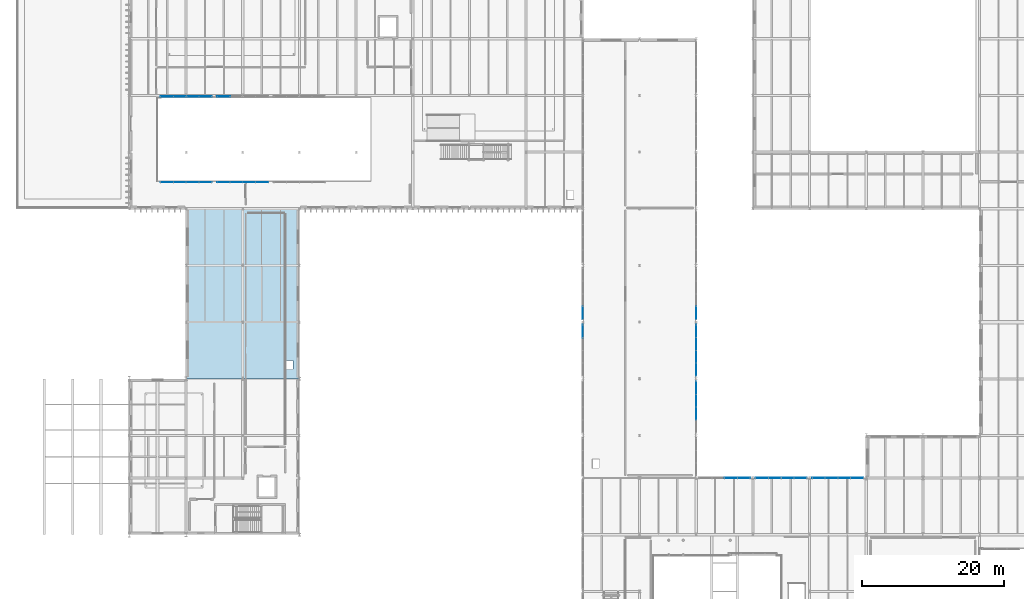
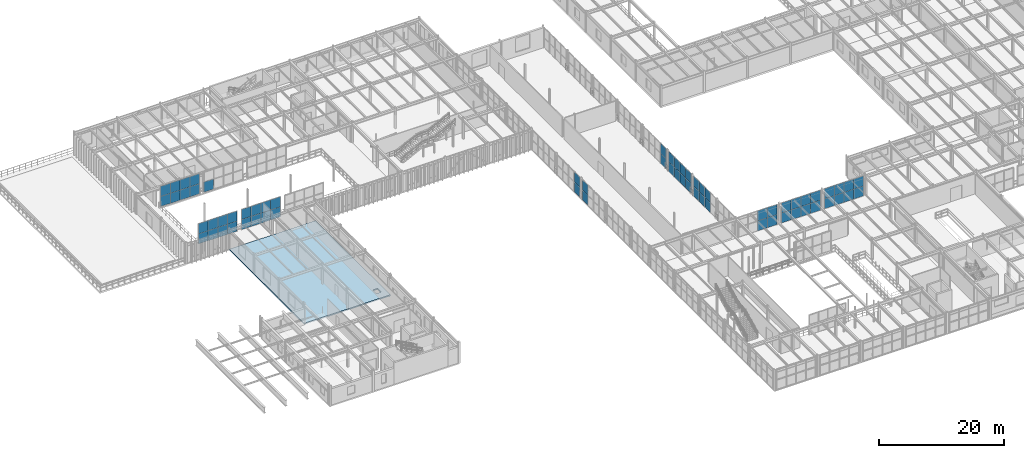
# One storey, part 70 of 122: 65 plates, 1 slab, 12 elements without a shape of their own.
"""IFC4 building model written with IfcOpenShell, lengths in metres."""

from ifc_helpers import new_model, si_unit, direction, frame, origin, origin_2d, place, context, subcontext, project, spatial, polyline, rectangle, outline, extrude, material, layer, layer_set, type_object, element, aggregate, save


model = new_model("IFC4")

# Units and contexts
model_context = context("Model", 3, precision=1e-05, world=origin(), true_north=direction((0.0, 1.0)))
body_context = subcontext(model_context, "Body", "Model", "MODEL_VIEW")
ifc_project = project(units=[si_unit("LENGTHUNIT", "METRE"), si_unit("AREAUNIT", "SQUARE_METRE"), si_unit("VOLUMEUNIT", "CUBIC_METRE"), si_unit("PLANEANGLEUNIT", "RADIAN"), si_unit("MASSUNIT", "GRAM", prefix="KILO")], contexts=[model_context])

# Site, building, storey
site_placement = place(None, origin())
site = spatial("IfcSite", under=ifc_project, at=site_placement, CompositionType="ELEMENT")
building_placement = place(site_placement, origin())
building = spatial("IfcBuilding", under=site, at=building_placement, Name="Sundkrona Museum", CompositionType="ELEMENT")
storey_placement = place(building_placement, frame((0.0, 0.0, 5.39990234375)))
storey = spatial("IfcBuildingStorey", under=building, at=storey_placement, Name="L01", CompositionType="ELEMENT", Elevation=5.39990234375)

# Curtain wall, plates
ifc_material_1 = material(Name="Unitised Aluminium-Steel and Ceramic-Clad Curtain Walling", Category="steel")
curtain_wall_type_1 = type_object("IfcCurtainWallType", Name="CW-AT-72x38", PredefinedType="NOTDEFINED", material=ifc_material_1)
curtain_wall_1_placement = place(storey_placement, origin())
curtain_wall_1 = element("IfcCurtainWall", 1, at=curtain_wall_1_placement, inside=storey, type_object=curtain_wall_type_1, Name="L01 Curtain Wall CW-L01-038", PredefinedType="NOTDEFINED")
ifc_material_2 = material(Name="Triple Low-E Vision Glazing 32 mm", Category="glass")
ifc_layer_1 = layer(ifc_material_2, 0.031982421875)
ifc_layer_set_1 = layer_set([ifc_layer_1], Name="Triple Low-E Vision Glazing 32 mm")
plate_type = type_object("IfcPlateType", Name="PN-GL-01", PredefinedType="CURTAIN_PANEL", material=ifc_layer_set_1)
plate_1_placement = place(storey_placement, frame((100.89990234375, 40.0, -0.00390625), z_axis=(0.0, 0.0, 1.0), x_axis=(1.0, 0.0, 0.0)))
plate_1 = element("IfcPlate", 2, at=plate_1_placement, type_object=plate_type, Name="CW-L01-038 Panel 05", PredefinedType="CURTAIN_PANEL", context=body_context, shape_type="SweptSolid", body=[
    extrude(rectangle(XDim=1.800048828125, YDim=0.031982421875, at=origin_2d()), origin(), (0.0, 0.0, 1.0), 1.97412109375),
])
plate_2_placement = place(storey_placement, frame((100.89990234375, 40.0, 1.969970703125), z_axis=(0.0, 0.0, 1.0), x_axis=(1.0, 0.0, 0.0)))
plate_2 = element("IfcPlate", 3, at=plate_2_placement, type_object=plate_type, Name="CW-L01-038 Panel 06", PredefinedType="CURTAIN_PANEL", context=body_context, shape_type="SweptSolid", body=[
    extrude(rectangle(XDim=1.800048828125, YDim=0.031982421875, at=origin_2d()), origin(), (0.0, 0.0, 1.0), 1.97412109375),
])
plate_3_placement = place(storey_placement, frame((102.699951171875, 40.0, -0.00390625), z_axis=(0.0, 0.0, 1.0), x_axis=(1.0, 0.0, 0.0)))
plate_3 = element("IfcPlate", 4, at=plate_3_placement, type_object=plate_type, Name="CW-L01-038 Panel 07", PredefinedType="CURTAIN_PANEL", context=body_context, shape_type="SweptSolid", body=[
    extrude(rectangle(XDim=1.800048828125, YDim=0.031982421875, at=origin_2d()), origin(), (0.0, 0.0, 1.0), 1.97412109375),
])
plate_4_placement = place(storey_placement, frame((102.699951171875, 40.0, 1.969970703125), z_axis=(0.0, 0.0, 1.0), x_axis=(1.0, 0.0, 0.0)))
plate_4 = element("IfcPlate", 5, at=plate_4_placement, type_object=plate_type, Name="CW-L01-038 Panel 08", PredefinedType="CURTAIN_PANEL", context=body_context, shape_type="SweptSolid", body=[
    extrude(rectangle(XDim=1.800048828125, YDim=0.031982421875, at=origin_2d()), origin(), (0.0, 0.0, 1.0), 1.97412109375),
])
aggregate(curtain_wall_1, [plate_1, plate_2, plate_3, plate_4])

curtain_wall_2_placement = place(storey_placement, origin())
curtain_wall_2 = element("IfcCurtainWall", 6, at=curtain_wall_2_placement, inside=storey, type_object=curtain_wall_type_1, Name="L01 Curtain Wall CW-L01-039", PredefinedType="NOTDEFINED")
plate_5_placement = place(storey_placement, frame((105.300048828125, 40.0, -0.00390625), z_axis=(0.0, 0.0, 1.0), x_axis=(1.0, 0.0, 0.0)))
plate_5 = element("IfcPlate", 7, at=plate_5_placement, type_object=plate_type, Name="CW-L01-039 Panel 01", PredefinedType="CURTAIN_PANEL", context=body_context, shape_type="SweptSolid", body=[
    extrude(rectangle(XDim=1.800048828125, YDim=0.031982421875, at=origin_2d()), origin(), (0.0, 0.0, 1.0), 1.97412109375),
])
plate_6_placement = place(storey_placement, frame((105.300048828125, 40.0, 1.969970703125), z_axis=(0.0, 0.0, 1.0), x_axis=(1.0, 0.0, 0.0)))
plate_6 = element("IfcPlate", 8, at=plate_6_placement, type_object=plate_type, Name="CW-L01-039 Panel 02", PredefinedType="CURTAIN_PANEL", context=body_context, shape_type="SweptSolid", body=[
    extrude(rectangle(XDim=1.800048828125, YDim=0.031982421875, at=origin_2d()), origin(), (0.0, 0.0, 1.0), 1.97412109375),
])
plate_7_placement = place(storey_placement, frame((107.10009765625, 40.0, -0.00390625), z_axis=(0.0, 0.0, 1.0), x_axis=(1.0, 0.0, 0.0)))
plate_7 = element("IfcPlate", 9, at=plate_7_placement, type_object=plate_type, Name="CW-L01-039 Panel 03", PredefinedType="CURTAIN_PANEL", context=body_context, shape_type="SweptSolid", body=[
    extrude(rectangle(XDim=1.800048828125, YDim=0.031982421875, at=origin_2d()), origin(), (0.0, 0.0, 1.0), 1.97412109375),
])
plate_8_placement = place(storey_placement, frame((107.10009765625, 40.0, 1.969970703125), z_axis=(0.0, 0.0, 1.0), x_axis=(1.0, 0.0, 0.0)))
plate_8 = element("IfcPlate", 10, at=plate_8_placement, type_object=plate_type, Name="CW-L01-039 Panel 04", PredefinedType="CURTAIN_PANEL", context=body_context, shape_type="SweptSolid", body=[
    extrude(rectangle(XDim=1.800048828125, YDim=0.031982421875, at=origin_2d()), origin(), (0.0, 0.0, 1.0), 1.97412109375),
])
plate_9_placement = place(storey_placement, frame((108.89990234375, 40.0, -0.00390625), z_axis=(0.0, 0.0, 1.0), x_axis=(1.0, 0.0, 0.0)))
plate_9 = element("IfcPlate", 11, at=plate_9_placement, type_object=plate_type, Name="CW-L01-039 Panel 05", PredefinedType="CURTAIN_PANEL", context=body_context, shape_type="SweptSolid", body=[
    extrude(rectangle(XDim=1.800048828125, YDim=0.031982421875, at=origin_2d()), origin(), (0.0, 0.0, 1.0), 1.97412109375),
])
plate_10_placement = place(storey_placement, frame((108.89990234375, 40.0, 1.969970703125), z_axis=(0.0, 0.0, 1.0), x_axis=(1.0, 0.0, 0.0)))
plate_10 = element("IfcPlate", 12, at=plate_10_placement, type_object=plate_type, Name="CW-L01-039 Panel 06", PredefinedType="CURTAIN_PANEL", context=body_context, shape_type="SweptSolid", body=[
    extrude(rectangle(XDim=1.800048828125, YDim=0.031982421875, at=origin_2d()), origin(), (0.0, 0.0, 1.0), 1.97412109375),
])
plate_11_placement = place(storey_placement, frame((110.699951171875, 40.0, -0.00390625), z_axis=(0.0, 0.0, 1.0), x_axis=(1.0, 0.0, 0.0)))
plate_11 = element("IfcPlate", 13, at=plate_11_placement, type_object=plate_type, Name="CW-L01-039 Panel 07", PredefinedType="CURTAIN_PANEL", context=body_context, shape_type="SweptSolid", body=[
    extrude(rectangle(XDim=1.800048828125, YDim=0.031982421875, at=origin_2d()), origin(), (0.0, 0.0, 1.0), 1.97412109375),
])
plate_12_placement = place(storey_placement, frame((110.699951171875, 40.0, 1.969970703125), z_axis=(0.0, 0.0, 1.0), x_axis=(1.0, 0.0, 0.0)))
plate_12 = element("IfcPlate", 14, at=plate_12_placement, type_object=plate_type, Name="CW-L01-039 Panel 08", PredefinedType="CURTAIN_PANEL", context=body_context, shape_type="SweptSolid", body=[
    extrude(rectangle(XDim=1.800048828125, YDim=0.031982421875, at=origin_2d()), origin(), (0.0, 0.0, 1.0), 1.97412109375),
])
aggregate(curtain_wall_2, [plate_5, plate_6, plate_7, plate_8, plate_9, plate_10, plate_11, plate_12])

curtain_wall_3_placement = place(storey_placement, origin())
curtain_wall_3 = element("IfcCurtainWall", 15, at=curtain_wall_3_placement, inside=storey, type_object=curtain_wall_type_1, Name="L01 Curtain Wall CW-L01-040", PredefinedType="NOTDEFINED")
plate_13_placement = place(storey_placement, frame((113.300048828125, 40.0, -0.00390625), z_axis=(0.0, 0.0, 1.0), x_axis=(1.0, 0.0, 0.0)))
plate_13 = element("IfcPlate", 16, at=plate_13_placement, type_object=plate_type, Name="CW-L01-040 Panel 01", PredefinedType="CURTAIN_PANEL", context=body_context, shape_type="SweptSolid", body=[
    extrude(rectangle(XDim=1.800048828125, YDim=0.031982421875, at=origin_2d()), origin(), (0.0, 0.0, 1.0), 1.97412109375),
])
plate_14_placement = place(storey_placement, frame((113.300048828125, 40.0, 1.969970703125), z_axis=(0.0, 0.0, 1.0), x_axis=(1.0, 0.0, 0.0)))
plate_14 = element("IfcPlate", 17, at=plate_14_placement, type_object=plate_type, Name="CW-L01-040 Panel 02", PredefinedType="CURTAIN_PANEL", context=body_context, shape_type="SweptSolid", body=[
    extrude(rectangle(XDim=1.800048828125, YDim=0.031982421875, at=origin_2d()), origin(), (0.0, 0.0, 1.0), 1.97412109375),
])
plate_15_placement = place(storey_placement, frame((115.10009765625, 40.0, -0.00390625), z_axis=(0.0, 0.0, 1.0), x_axis=(1.0, 0.0, 0.0)))
plate_15 = element("IfcPlate", 18, at=plate_15_placement, type_object=plate_type, Name="CW-L01-040 Panel 03", PredefinedType="CURTAIN_PANEL", context=body_context, shape_type="SweptSolid", body=[
    extrude(rectangle(XDim=1.800048828125, YDim=0.031982421875, at=origin_2d()), origin(), (0.0, 0.0, 1.0), 1.97412109375),
])
plate_16_placement = place(storey_placement, frame((115.10009765625, 40.0, 1.969970703125), z_axis=(0.0, 0.0, 1.0), x_axis=(1.0, 0.0, 0.0)))
plate_16 = element("IfcPlate", 19, at=plate_16_placement, type_object=plate_type, Name="CW-L01-040 Panel 04", PredefinedType="CURTAIN_PANEL", context=body_context, shape_type="SweptSolid", body=[
    extrude(rectangle(XDim=1.800048828125, YDim=0.031982421875, at=origin_2d()), origin(), (0.0, 0.0, 1.0), 1.97412109375),
])
plate_17_placement = place(storey_placement, frame((116.89990234375, 40.0, -0.00390625), z_axis=(0.0, 0.0, 1.0), x_axis=(1.0, 0.0, 0.0)))
plate_17 = element("IfcPlate", 20, at=plate_17_placement, type_object=plate_type, Name="CW-L01-040 Panel 05", PredefinedType="CURTAIN_PANEL", context=body_context, shape_type="SweptSolid", body=[
    extrude(rectangle(XDim=1.800048828125, YDim=0.031982421875, at=origin_2d()), origin(), (0.0, 0.0, 1.0), 1.97412109375),
])
plate_18_placement = place(storey_placement, frame((116.89990234375, 40.0, 1.969970703125), z_axis=(0.0, 0.0, 1.0), x_axis=(1.0, 0.0, 0.0)))
plate_18 = element("IfcPlate", 21, at=plate_18_placement, type_object=plate_type, Name="CW-L01-040 Panel 06", PredefinedType="CURTAIN_PANEL", context=body_context, shape_type="SweptSolid", body=[
    extrude(rectangle(XDim=1.800048828125, YDim=0.031982421875, at=origin_2d()), origin(), (0.0, 0.0, 1.0), 1.97412109375),
])
plate_19_placement = place(storey_placement, frame((118.699951171875, 40.0, -0.00390625), z_axis=(0.0, 0.0, 1.0), x_axis=(1.0, 0.0, 0.0)))
plate_19 = element("IfcPlate", 22, at=plate_19_placement, type_object=plate_type, Name="CW-L01-040 Panel 07", PredefinedType="CURTAIN_PANEL", context=body_context, shape_type="SweptSolid", body=[
    extrude(rectangle(XDim=1.800048828125, YDim=0.031982421875, at=origin_2d()), origin(), (0.0, 0.0, 1.0), 1.97412109375),
])
plate_20_placement = place(storey_placement, frame((118.699951171875, 40.0, 1.969970703125), z_axis=(0.0, 0.0, 1.0), x_axis=(1.0, 0.0, 0.0)))
plate_20 = element("IfcPlate", 23, at=plate_20_placement, type_object=plate_type, Name="CW-L01-040 Panel 08", PredefinedType="CURTAIN_PANEL", context=body_context, shape_type="SweptSolid", body=[
    extrude(rectangle(XDim=1.800048828125, YDim=0.031982421875, at=origin_2d()), origin(), (0.0, 0.0, 1.0), 1.97412109375),
])
aggregate(curtain_wall_3, [plate_13, plate_14, plate_15, plate_16, plate_17, plate_18, plate_19, plate_20])

curtain_wall_type_2 = type_object("IfcCurtainWallType", Name="CW-PS-54x38", PredefinedType="NOTDEFINED", material=ifc_material_1)
curtain_wall_4_placement = place(storey_placement, origin())
curtain_wall_4 = element("IfcCurtainWall", 24, at=curtain_wall_4_placement, inside=storey, type_object=curtain_wall_type_2, Name="L01 Curtain Wall CW-L01-111", PredefinedType="NOTDEFINED")
plate_21_placement = place(storey_placement, frame((96.0, 49.10009765625, -0.00390625), z_axis=(0.0, 0.0, 1.0), x_axis=(0.0, 1.0, 0.0)))
plate_21 = element("IfcPlate", 25, at=plate_21_placement, type_object=plate_type, Name="CW-L01-111 Panel 03", PredefinedType="CURTAIN_PANEL", context=body_context, shape_type="SweptSolid", body=[
    extrude(rectangle(XDim=1.800048828125, YDim=0.031982421875, at=origin_2d()), origin(), (0.0, 0.0, 1.0), 1.964111328125),
])
plate_22_placement = place(storey_placement, frame((96.0, 49.10009765625, 1.9599609375), z_axis=(0.0, 0.0, 1.0), x_axis=(0.0, 1.0, 0.0)))
plate_22 = element("IfcPlate", 26, at=plate_22_placement, type_object=plate_type, Name="CW-L01-111 Panel 04", PredefinedType="CURTAIN_PANEL", context=body_context, shape_type="SweptSolid", body=[
    extrude(rectangle(XDim=1.800048828125, YDim=0.031982421875, at=origin_2d()), origin(), (0.0, 0.0, 1.0), 1.964111328125),
])
plate_23_placement = place(storey_placement, frame((96.0, 50.89990234375, -0.00390625), z_axis=(0.0, 0.0, 1.0), x_axis=(0.0, 1.0, 0.0)))
plate_23 = element("IfcPlate", 27, at=plate_23_placement, type_object=plate_type, Name="CW-L01-111 Panel 05", PredefinedType="CURTAIN_PANEL", context=body_context, shape_type="SweptSolid", body=[
    extrude(rectangle(XDim=1.800048828125, YDim=0.031982421875, at=origin_2d()), origin(), (0.0, 0.0, 1.0), 1.964111328125),
])
plate_24_placement = place(storey_placement, frame((96.0, 50.89990234375, 1.9599609375), z_axis=(0.0, 0.0, 1.0), x_axis=(0.0, 1.0, 0.0)))
plate_24 = element("IfcPlate", 28, at=plate_24_placement, type_object=plate_type, Name="CW-L01-111 Panel 06", PredefinedType="CURTAIN_PANEL", context=body_context, shape_type="SweptSolid", body=[
    extrude(rectangle(XDim=1.800048828125, YDim=0.031982421875, at=origin_2d()), origin(), (0.0, 0.0, 1.0), 1.964111328125),
])
plate_25_placement = place(storey_placement, frame((96.0, 52.699951171875, -0.00390625), z_axis=(0.0, 0.0, 1.0), x_axis=(0.0, 1.0, 0.0)))
plate_25 = element("IfcPlate", 29, at=plate_25_placement, type_object=plate_type, Name="CW-L01-111 Panel 07", PredefinedType="CURTAIN_PANEL", context=body_context, shape_type="SweptSolid", body=[
    extrude(rectangle(XDim=1.800048828125, YDim=0.031982421875, at=origin_2d()), origin(), (0.0, 0.0, 1.0), 1.964111328125),
])
plate_26_placement = place(storey_placement, frame((96.0, 52.699951171875, 1.9599609375), z_axis=(0.0, 0.0, 1.0), x_axis=(0.0, 1.0, 0.0)))
plate_26 = element("IfcPlate", 30, at=plate_26_placement, type_object=plate_type, Name="CW-L01-111 Panel 08", PredefinedType="CURTAIN_PANEL", context=body_context, shape_type="SweptSolid", body=[
    extrude(rectangle(XDim=1.800048828125, YDim=0.031982421875, at=origin_2d()), origin(), (0.0, 0.0, 1.0), 1.964111328125),
])
aggregate(curtain_wall_4, [plate_21, plate_22, plate_23, plate_24, plate_25, plate_26])

curtain_wall_5_placement = place(storey_placement, origin())
curtain_wall_5 = element("IfcCurtainWall", 31, at=curtain_wall_5_placement, inside=storey, type_object=curtain_wall_type_2, Name="L01 Curtain Wall CW-L01-112", PredefinedType="NOTDEFINED")
plate_27_placement = place(storey_placement, frame((80.0, 60.699951171875, -0.00390625), z_axis=(0.0, 0.0, 1.0), x_axis=(0.0, 1.0, 0.0)))
plate_27 = element("IfcPlate", 32, at=plate_27_placement, type_object=plate_type, Name="CW-L01-112 Panel 07", PredefinedType="CURTAIN_PANEL", context=body_context, shape_type="SweptSolid", body=[
    extrude(rectangle(XDim=1.800048828125, YDim=0.031982421875, at=origin_2d()), origin(), (0.0, 0.0, 1.0), 1.964111328125),
])
plate_28_placement = place(storey_placement, frame((80.0, 60.699951171875, 1.9599609375), z_axis=(0.0, 0.0, 1.0), x_axis=(0.0, 1.0, 0.0)))
plate_28 = element("IfcPlate", 33, at=plate_28_placement, type_object=plate_type, Name="CW-L01-112 Panel 08", PredefinedType="CURTAIN_PANEL", context=body_context, shape_type="SweptSolid", body=[
    extrude(rectangle(XDim=1.800048828125, YDim=0.031982421875, at=origin_2d()), origin(), (0.0, 0.0, 1.0), 1.964111328125),
])
aggregate(curtain_wall_5, [plate_27, plate_28])

curtain_wall_6_placement = place(storey_placement, origin())
curtain_wall_6 = element("IfcCurtainWall", 34, at=curtain_wall_6_placement, inside=storey, type_object=curtain_wall_type_2, Name="L01 Curtain Wall CW-L01-113", PredefinedType="NOTDEFINED")
plate_29_placement = place(storey_placement, frame((96.0, 55.300048828125, -0.00390625), z_axis=(0.0, 0.0, 1.0), x_axis=(0.0, 1.0, 0.0)))
plate_29 = element("IfcPlate", 35, at=plate_29_placement, type_object=plate_type, Name="CW-L01-113 Panel 01", PredefinedType="CURTAIN_PANEL", context=body_context, shape_type="SweptSolid", body=[
    extrude(rectangle(XDim=1.800048828125, YDim=0.031982421875, at=origin_2d()), origin(), (0.0, 0.0, 1.0), 1.964111328125),
])
plate_30_placement = place(storey_placement, frame((96.0, 55.300048828125, 1.9599609375), z_axis=(0.0, 0.0, 1.0), x_axis=(0.0, 1.0, 0.0)))
plate_30 = element("IfcPlate", 36, at=plate_30_placement, type_object=plate_type, Name="CW-L01-113 Panel 02", PredefinedType="CURTAIN_PANEL", context=body_context, shape_type="SweptSolid", body=[
    extrude(rectangle(XDim=1.800048828125, YDim=0.031982421875, at=origin_2d()), origin(), (0.0, 0.0, 1.0), 1.964111328125),
])
plate_31_placement = place(storey_placement, frame((96.0, 57.10009765625, -0.00390625), z_axis=(0.0, 0.0, 1.0), x_axis=(0.0, 1.0, 0.0)))
plate_31 = element("IfcPlate", 37, at=plate_31_placement, type_object=plate_type, Name="CW-L01-113 Panel 03", PredefinedType="CURTAIN_PANEL", context=body_context, shape_type="SweptSolid", body=[
    extrude(rectangle(XDim=1.800048828125, YDim=0.031982421875, at=origin_2d()), origin(), (0.0, 0.0, 1.0), 1.964111328125),
])
plate_32_placement = place(storey_placement, frame((96.0, 57.10009765625, 1.9599609375), z_axis=(0.0, 0.0, 1.0), x_axis=(0.0, 1.0, 0.0)))
plate_32 = element("IfcPlate", 38, at=plate_32_placement, type_object=plate_type, Name="CW-L01-113 Panel 04", PredefinedType="CURTAIN_PANEL", context=body_context, shape_type="SweptSolid", body=[
    extrude(rectangle(XDim=1.800048828125, YDim=0.031982421875, at=origin_2d()), origin(), (0.0, 0.0, 1.0), 1.964111328125),
])
plate_33_placement = place(storey_placement, frame((96.0, 58.89990234375, -0.00390625), z_axis=(0.0, 0.0, 1.0), x_axis=(0.0, 1.0, 0.0)))
plate_33 = element("IfcPlate", 39, at=plate_33_placement, type_object=plate_type, Name="CW-L01-113 Panel 05", PredefinedType="CURTAIN_PANEL", context=body_context, shape_type="SweptSolid", body=[
    extrude(rectangle(XDim=1.800048828125, YDim=0.031982421875, at=origin_2d()), origin(), (0.0, 0.0, 1.0), 1.964111328125),
])
plate_34_placement = place(storey_placement, frame((96.0, 58.89990234375, 1.9599609375), z_axis=(0.0, 0.0, 1.0), x_axis=(0.0, 1.0, 0.0)))
plate_34 = element("IfcPlate", 40, at=plate_34_placement, type_object=plate_type, Name="CW-L01-113 Panel 06", PredefinedType="CURTAIN_PANEL", context=body_context, shape_type="SweptSolid", body=[
    extrude(rectangle(XDim=1.800048828125, YDim=0.031982421875, at=origin_2d()), origin(), (0.0, 0.0, 1.0), 1.964111328125),
])
plate_35_placement = place(storey_placement, frame((96.0, 60.699951171875, -0.00390625), z_axis=(0.0, 0.0, 1.0), x_axis=(0.0, 1.0, 0.0)))
plate_35 = element("IfcPlate", 41, at=plate_35_placement, type_object=plate_type, Name="CW-L01-113 Panel 07", PredefinedType="CURTAIN_PANEL", context=body_context, shape_type="SweptSolid", body=[
    extrude(rectangle(XDim=1.800048828125, YDim=0.031982421875, at=origin_2d()), origin(), (0.0, 0.0, 1.0), 1.964111328125),
])
plate_36_placement = place(storey_placement, frame((96.0, 60.699951171875, 1.9599609375), z_axis=(0.0, 0.0, 1.0), x_axis=(0.0, 1.0, 0.0)))
plate_36 = element("IfcPlate", 42, at=plate_36_placement, type_object=plate_type, Name="CW-L01-113 Panel 08", PredefinedType="CURTAIN_PANEL", context=body_context, shape_type="SweptSolid", body=[
    extrude(rectangle(XDim=1.800048828125, YDim=0.031982421875, at=origin_2d()), origin(), (0.0, 0.0, 1.0), 1.964111328125),
])
aggregate(curtain_wall_6, [plate_29, plate_30, plate_31, plate_32, plate_33, plate_34, plate_35, plate_36])

curtain_wall_7_placement = place(storey_placement, origin())
curtain_wall_7 = element("IfcCurtainWall", 43, at=curtain_wall_7_placement, inside=storey, type_object=curtain_wall_type_2, Name="L01 Curtain Wall CW-L01-114", PredefinedType="NOTDEFINED")
plate_37_placement = place(storey_placement, frame((80.0, 63.300048828125, -0.00390625), z_axis=(0.0, 0.0, 1.0), x_axis=(0.0, 1.0, 0.0)))
plate_37 = element("IfcPlate", 44, at=plate_37_placement, type_object=plate_type, Name="CW-L01-114 Panel 01", PredefinedType="CURTAIN_PANEL", context=body_context, shape_type="SweptSolid", body=[
    extrude(rectangle(XDim=1.800048828125, YDim=0.031982421875, at=origin_2d()), origin(), (0.0, 0.0, 1.0), 1.964111328125),
])
plate_38_placement = place(storey_placement, frame((80.0, 63.300048828125, 1.9599609375), z_axis=(0.0, 0.0, 1.0), x_axis=(0.0, 1.0, 0.0)))
plate_38 = element("IfcPlate", 45, at=plate_38_placement, type_object=plate_type, Name="CW-L01-114 Panel 02", PredefinedType="CURTAIN_PANEL", context=body_context, shape_type="SweptSolid", body=[
    extrude(rectangle(XDim=1.800048828125, YDim=0.031982421875, at=origin_2d()), origin(), (0.0, 0.0, 1.0), 1.964111328125),
])
aggregate(curtain_wall_7, [plate_37, plate_38])

curtain_wall_8_placement = place(storey_placement, origin())
curtain_wall_8 = element("IfcCurtainWall", 46, at=curtain_wall_8_placement, inside=storey, type_object=curtain_wall_type_2, Name="L01 Curtain Wall CW-L01-115", PredefinedType="NOTDEFINED")
plate_39_placement = place(storey_placement, frame((96.0, 63.300048828125, -0.00390625), z_axis=(0.0, 0.0, 1.0), x_axis=(0.0, 1.0, 0.0)))
plate_39 = element("IfcPlate", 47, at=plate_39_placement, type_object=plate_type, Name="CW-L01-115 Panel 01", PredefinedType="CURTAIN_PANEL", context=body_context, shape_type="SweptSolid", body=[
    extrude(rectangle(XDim=1.800048828125, YDim=0.031982421875, at=origin_2d()), origin(), (0.0, 0.0, 1.0), 1.964111328125),
])
plate_40_placement = place(storey_placement, frame((96.0, 63.300048828125, 1.9599609375), z_axis=(0.0, 0.0, 1.0), x_axis=(0.0, 1.0, 0.0)))
plate_40 = element("IfcPlate", 48, at=plate_40_placement, type_object=plate_type, Name="CW-L01-115 Panel 02", PredefinedType="CURTAIN_PANEL", context=body_context, shape_type="SweptSolid", body=[
    extrude(rectangle(XDim=1.800048828125, YDim=0.031982421875, at=origin_2d()), origin(), (0.0, 0.0, 1.0), 1.964111328125),
])
aggregate(curtain_wall_8, [plate_39, plate_40])

curtain_wall_type_3 = type_object("IfcCurtainWallType", Name="CW-CL-64x38", PredefinedType="NOTDEFINED", material=ifc_material_1)
curtain_wall_9_placement = place(storey_placement, origin())
curtain_wall_9 = element("IfcCurtainWall", 49, at=curtain_wall_9_placement, inside=storey, type_object=curtain_wall_type_3, Name="L01 Curtain Wall CW-L01-124", PredefinedType="NOTDEFINED")
plate_41_placement = place(storey_placement, frame((21.300048828125, 81.75, -0.00390625), z_axis=(0.0, 0.0, 1.0), x_axis=(1.0, 0.0, 0.0)))
plate_41 = element("IfcPlate", 50, at=plate_41_placement, type_object=plate_type, Name="CW-L01-124 Panel 01", PredefinedType="CURTAIN_PANEL", context=body_context, shape_type="SweptSolid", body=[
    extrude(rectangle(XDim=1.800048828125, YDim=0.031982421875, at=origin_2d()), origin(), (0.0, 0.0, 1.0), 1.98388671875),
])
plate_42_placement = place(storey_placement, frame((21.300048828125, 81.75, 1.980224609375), z_axis=(0.0, 0.0, 1.0), x_axis=(1.0, 0.0, 0.0)))
plate_42 = element("IfcPlate", 51, at=plate_42_placement, type_object=plate_type, Name="CW-L01-124 Panel 02", PredefinedType="CURTAIN_PANEL", context=body_context, shape_type="SweptSolid", body=[
    extrude(rectangle(XDim=1.800048828125, YDim=0.031982421875, at=origin_2d()), origin(), (0.0, 0.0, 1.0), 1.98388671875),
])
plate_43_placement = place(storey_placement, frame((23.10009765625, 81.75, -0.00390625), z_axis=(0.0, 0.0, 1.0), x_axis=(1.0, 0.0, 0.0)))
plate_43 = element("IfcPlate", 52, at=plate_43_placement, type_object=plate_type, Name="CW-L01-124 Panel 03", PredefinedType="CURTAIN_PANEL", context=body_context, shape_type="SweptSolid", body=[
    extrude(rectangle(XDim=1.800048828125, YDim=0.031982421875, at=origin_2d()), origin(), (0.0, 0.0, 1.0), 1.98388671875),
])
plate_44_placement = place(storey_placement, frame((23.10009765625, 81.75, 1.980224609375), z_axis=(0.0, 0.0, 1.0), x_axis=(1.0, 0.0, 0.0)))
plate_44 = element("IfcPlate", 53, at=plate_44_placement, type_object=plate_type, Name="CW-L01-124 Panel 04", PredefinedType="CURTAIN_PANEL", context=body_context, shape_type="SweptSolid", body=[
    extrude(rectangle(XDim=1.800048828125, YDim=0.031982421875, at=origin_2d()), origin(), (0.0, 0.0, 1.0), 1.98388671875),
])
plate_45_placement = place(storey_placement, frame((24.89990234375, 81.75, -0.00390625), z_axis=(0.0, 0.0, 1.0), x_axis=(1.0, 0.0, 0.0)))
plate_45 = element("IfcPlate", 54, at=plate_45_placement, type_object=plate_type, Name="CW-L01-124 Panel 05", PredefinedType="CURTAIN_PANEL", context=body_context, shape_type="SweptSolid", body=[
    extrude(rectangle(XDim=1.800048828125, YDim=0.031982421875, at=origin_2d()), origin(), (0.0, 0.0, 1.0), 1.98388671875),
])
plate_46_placement = place(storey_placement, frame((24.89990234375, 81.75, 1.980224609375), z_axis=(0.0, 0.0, 1.0), x_axis=(1.0, 0.0, 0.0)))
plate_46 = element("IfcPlate", 55, at=plate_46_placement, type_object=plate_type, Name="CW-L01-124 Panel 06", PredefinedType="CURTAIN_PANEL", context=body_context, shape_type="SweptSolid", body=[
    extrude(rectangle(XDim=1.800048828125, YDim=0.031982421875, at=origin_2d()), origin(), (0.0, 0.0, 1.0), 1.98388671875),
])
plate_47_placement = place(storey_placement, frame((26.699951171875, 81.75, -0.00390625), z_axis=(0.0, 0.0, 1.0), x_axis=(1.0, 0.0, 0.0)))
plate_47 = element("IfcPlate", 56, at=plate_47_placement, type_object=plate_type, Name="CW-L01-124 Panel 07", PredefinedType="CURTAIN_PANEL", context=body_context, shape_type="SweptSolid", body=[
    extrude(rectangle(XDim=1.800048828125, YDim=0.031982421875, at=origin_2d()), origin(), (0.0, 0.0, 1.0), 1.98388671875),
])
plate_48_placement = place(storey_placement, frame((26.699951171875, 81.75, 1.980224609375), z_axis=(0.0, 0.0, 1.0), x_axis=(1.0, 0.0, 0.0)))
plate_48 = element("IfcPlate", 57, at=plate_48_placement, type_object=plate_type, Name="CW-L01-124 Panel 08", PredefinedType="CURTAIN_PANEL", context=body_context, shape_type="SweptSolid", body=[
    extrude(rectangle(XDim=1.800048828125, YDim=0.031982421875, at=origin_2d()), origin(), (0.0, 0.0, 1.0), 1.98388671875),
])
aggregate(curtain_wall_9, [plate_41, plate_42, plate_43, plate_44, plate_45, plate_46, plate_47, plate_48])

curtain_wall_10_placement = place(storey_placement, origin())
curtain_wall_10 = element("IfcCurtainWall", 58, at=curtain_wall_10_placement, inside=storey, type_object=curtain_wall_type_3, Name="L01 Curtain Wall CW-L01-125", PredefinedType="NOTDEFINED")
plate_49_placement = place(storey_placement, frame((21.300048828125, 93.85009765625, -0.00390625), z_axis=(0.0, 0.0, 1.0), x_axis=(1.0, 0.0, 0.0)))
plate_49 = element("IfcPlate", 59, at=plate_49_placement, type_object=plate_type, Name="CW-L01-125 Panel 01", PredefinedType="CURTAIN_PANEL", context=body_context, shape_type="SweptSolid", body=[
    extrude(rectangle(XDim=1.800048828125, YDim=0.031982421875, at=origin_2d()), origin(), (0.0, 0.0, 1.0), 1.98388671875),
])
plate_50_placement = place(storey_placement, frame((21.300048828125, 93.85009765625, 1.980224609375), z_axis=(0.0, 0.0, 1.0), x_axis=(1.0, 0.0, 0.0)))
plate_50 = element("IfcPlate", 60, at=plate_50_placement, type_object=plate_type, Name="CW-L01-125 Panel 02", PredefinedType="CURTAIN_PANEL", context=body_context, shape_type="SweptSolid", body=[
    extrude(rectangle(XDim=1.800048828125, YDim=0.031982421875, at=origin_2d()), origin(), (0.0, 0.0, 1.0), 1.98388671875),
])
plate_51_placement = place(storey_placement, frame((23.10009765625, 93.85009765625, -0.00390625), z_axis=(0.0, 0.0, 1.0), x_axis=(1.0, 0.0, 0.0)))
plate_51 = element("IfcPlate", 61, at=plate_51_placement, type_object=plate_type, Name="CW-L01-125 Panel 03", PredefinedType="CURTAIN_PANEL", context=body_context, shape_type="SweptSolid", body=[
    extrude(rectangle(XDim=1.800048828125, YDim=0.031982421875, at=origin_2d()), origin(), (0.0, 0.0, 1.0), 1.98388671875),
])
plate_52_placement = place(storey_placement, frame((23.10009765625, 93.85009765625, 1.980224609375), z_axis=(0.0, 0.0, 1.0), x_axis=(1.0, 0.0, 0.0)))
plate_52 = element("IfcPlate", 62, at=plate_52_placement, type_object=plate_type, Name="CW-L01-125 Panel 04", PredefinedType="CURTAIN_PANEL", context=body_context, shape_type="SweptSolid", body=[
    extrude(rectangle(XDim=1.800048828125, YDim=0.031982421875, at=origin_2d()), origin(), (0.0, 0.0, 1.0), 1.98388671875),
])
plate_53_placement = place(storey_placement, frame((24.89990234375, 93.85009765625, -0.00390625), z_axis=(0.0, 0.0, 1.0), x_axis=(1.0, 0.0, 0.0)))
plate_53 = element("IfcPlate", 63, at=plate_53_placement, type_object=plate_type, Name="CW-L01-125 Panel 05", PredefinedType="CURTAIN_PANEL", context=body_context, shape_type="SweptSolid", body=[
    extrude(rectangle(XDim=1.800048828125, YDim=0.031982421875, at=origin_2d()), origin(), (0.0, 0.0, 1.0), 1.98388671875),
])
plate_54_placement = place(storey_placement, frame((24.89990234375, 93.85009765625, 1.980224609375), z_axis=(0.0, 0.0, 1.0), x_axis=(1.0, 0.0, 0.0)))
plate_54 = element("IfcPlate", 64, at=plate_54_placement, type_object=plate_type, Name="CW-L01-125 Panel 06", PredefinedType="CURTAIN_PANEL", context=body_context, shape_type="SweptSolid", body=[
    extrude(rectangle(XDim=1.800048828125, YDim=0.031982421875, at=origin_2d()), origin(), (0.0, 0.0, 1.0), 1.98388671875),
])
plate_55_placement = place(storey_placement, frame((26.699951171875, 93.85009765625, -0.00390625), z_axis=(0.0, 0.0, 1.0), x_axis=(1.0, 0.0, 0.0)))
plate_55 = element("IfcPlate", 65, at=plate_55_placement, type_object=plate_type, Name="CW-L01-125 Panel 07", PredefinedType="CURTAIN_PANEL", context=body_context, shape_type="SweptSolid", body=[
    extrude(rectangle(XDim=1.800048828125, YDim=0.031982421875, at=origin_2d()), origin(), (0.0, 0.0, 1.0), 1.98388671875),
])
plate_56_placement = place(storey_placement, frame((26.699951171875, 93.85009765625, 1.980224609375), z_axis=(0.0, 0.0, 1.0), x_axis=(1.0, 0.0, 0.0)))
plate_56 = element("IfcPlate", 66, at=plate_56_placement, type_object=plate_type, Name="CW-L01-125 Panel 08", PredefinedType="CURTAIN_PANEL", context=body_context, shape_type="SweptSolid", body=[
    extrude(rectangle(XDim=1.800048828125, YDim=0.031982421875, at=origin_2d()), origin(), (0.0, 0.0, 1.0), 1.98388671875),
])
aggregate(curtain_wall_10, [plate_49, plate_50, plate_51, plate_52, plate_53, plate_54, plate_55, plate_56])

curtain_wall_11_placement = place(storey_placement, origin())
curtain_wall_11 = element("IfcCurtainWall", 67, at=curtain_wall_11_placement, inside=storey, type_object=curtain_wall_type_3, Name="L01 Curtain Wall CW-L01-126", PredefinedType="NOTDEFINED")
plate_57_placement = place(storey_placement, frame((29.300048828125, 81.75, -0.00390625), z_axis=(0.0, 0.0, 1.0), x_axis=(1.0, 0.0, 0.0)))
plate_57 = element("IfcPlate", 68, at=plate_57_placement, type_object=plate_type, Name="CW-L01-126 Panel 01", PredefinedType="CURTAIN_PANEL", context=body_context, shape_type="SweptSolid", body=[
    extrude(rectangle(XDim=1.800048828125, YDim=0.031982421875, at=origin_2d()), origin(), (0.0, 0.0, 1.0), 1.98388671875),
])
plate_58_placement = place(storey_placement, frame((29.300048828125, 81.75, 1.980224609375), z_axis=(0.0, 0.0, 1.0), x_axis=(1.0, 0.0, 0.0)))
plate_58 = element("IfcPlate", 69, at=plate_58_placement, type_object=plate_type, Name="CW-L01-126 Panel 02", PredefinedType="CURTAIN_PANEL", context=body_context, shape_type="SweptSolid", body=[
    extrude(rectangle(XDim=1.800048828125, YDim=0.031982421875, at=origin_2d()), origin(), (0.0, 0.0, 1.0), 1.98388671875),
])
plate_59_placement = place(storey_placement, frame((31.10009765625, 81.75, -0.00390625), z_axis=(0.0, 0.0, 1.0), x_axis=(1.0, 0.0, 0.0)))
plate_59 = element("IfcPlate", 70, at=plate_59_placement, type_object=plate_type, Name="CW-L01-126 Panel 03", PredefinedType="CURTAIN_PANEL", context=body_context, shape_type="SweptSolid", body=[
    extrude(rectangle(XDim=1.800048828125, YDim=0.031982421875, at=origin_2d()), origin(), (0.0, 0.0, 1.0), 1.98388671875),
])
plate_60_placement = place(storey_placement, frame((31.10009765625, 81.75, 1.980224609375), z_axis=(0.0, 0.0, 1.0), x_axis=(1.0, 0.0, 0.0)))
plate_60 = element("IfcPlate", 71, at=plate_60_placement, type_object=plate_type, Name="CW-L01-126 Panel 04", PredefinedType="CURTAIN_PANEL", context=body_context, shape_type="SweptSolid", body=[
    extrude(rectangle(XDim=1.800048828125, YDim=0.031982421875, at=origin_2d()), origin(), (0.0, 0.0, 1.0), 1.98388671875),
])
plate_61_placement = place(storey_placement, frame((32.89990234375, 81.75, -0.00390625), z_axis=(0.0, 0.0, 1.0), x_axis=(1.0, 0.0, 0.0)))
plate_61 = element("IfcPlate", 72, at=plate_61_placement, type_object=plate_type, Name="CW-L01-126 Panel 05", PredefinedType="CURTAIN_PANEL", context=body_context, shape_type="SweptSolid", body=[
    extrude(rectangle(XDim=1.800048828125, YDim=0.031982421875, at=origin_2d()), origin(), (0.0, 0.0, 1.0), 1.98388671875),
])
plate_62_placement = place(storey_placement, frame((32.89990234375, 81.75, 1.980224609375), z_axis=(0.0, 0.0, 1.0), x_axis=(1.0, 0.0, 0.0)))
plate_62 = element("IfcPlate", 73, at=plate_62_placement, type_object=plate_type, Name="CW-L01-126 Panel 06", PredefinedType="CURTAIN_PANEL", context=body_context, shape_type="SweptSolid", body=[
    extrude(rectangle(XDim=1.800048828125, YDim=0.031982421875, at=origin_2d()), origin(), (0.0, 0.0, 1.0), 1.98388671875),
])
plate_63_placement = place(storey_placement, frame((34.699951171875, 81.75, -0.00390625), z_axis=(0.0, 0.0, 1.0), x_axis=(1.0, 0.0, 0.0)))
plate_63 = element("IfcPlate", 74, at=plate_63_placement, type_object=plate_type, Name="CW-L01-126 Panel 07", PredefinedType="CURTAIN_PANEL", context=body_context, shape_type="SweptSolid", body=[
    extrude(rectangle(XDim=1.800048828125, YDim=0.031982421875, at=origin_2d()), origin(), (0.0, 0.0, 1.0), 1.98388671875),
])
plate_64_placement = place(storey_placement, frame((34.699951171875, 81.75, 1.980224609375), z_axis=(0.0, 0.0, 1.0), x_axis=(1.0, 0.0, 0.0)))
plate_64 = element("IfcPlate", 75, at=plate_64_placement, type_object=plate_type, Name="CW-L01-126 Panel 08", PredefinedType="CURTAIN_PANEL", context=body_context, shape_type="SweptSolid", body=[
    extrude(rectangle(XDim=1.800048828125, YDim=0.031982421875, at=origin_2d()), origin(), (0.0, 0.0, 1.0), 1.98388671875),
])
aggregate(curtain_wall_11, [plate_57, plate_58, plate_59, plate_60, plate_61, plate_62, plate_63, plate_64])

# Curtain wall, plate
curtain_wall_12_placement = place(storey_placement, origin())
curtain_wall_12 = element("IfcCurtainWall", 76, at=curtain_wall_12_placement, inside=storey, type_object=curtain_wall_type_3, Name="L01 Curtain Wall CW-L01-127", PredefinedType="NOTDEFINED")
plate_65_placement = place(storey_placement, frame((29.300048828125, 93.85009765625, -0.00390625), z_axis=(0.0, 0.0, 1.0), x_axis=(1.0, 0.0, 0.0)))
plate_65 = element("IfcPlate", 77, at=plate_65_placement, type_object=plate_type, Name="CW-L01-127 Panel 01", PredefinedType="CURTAIN_PANEL", context=body_context, shape_type="SweptSolid", body=[
    extrude(rectangle(XDim=1.800048828125, YDim=0.031982421875, at=origin_2d()), origin(), (0.0, 0.0, 1.0), 1.98388671875),
])
aggregate(curtain_wall_12, [plate_65])

# Slab
ifc_material_3 = material(Name="Concrete C35/45", Category="concrete")
ifc_layer_2 = layer(ifc_material_3, 0.239990234375)
ifc_layer_set_2 = layer_set([ifc_layer_2], Name="Concrete C35/45")
slab_type = type_object("IfcSlabType", Name="SL-FL-240", PredefinedType="FLOOR", material=ifc_layer_set_2)
slab_placement = place(storey_placement, frame((0.0, 0.0, -0.239990234375)))
element("IfcSlab", 78, at=slab_placement, inside=storey, type_object=slab_type, Name="L01 Standard composite gallery floor slab 240 mm (SL-L01-V4L)", PredefinedType="FLOOR", context=body_context, shape_type="SweptSolid", body=[
    extrude(outline(polyline([(24.0, 54.0), (40.0, 54.0), (40.0, 78.0), (24.0, 78.0), (24.0, 54.0)]), holes=[polyline([(39.10009765625, 55.39990234375), (38.199951171875, 55.39990234375), (38.199951171875, 56.60009765625), (39.10009765625, 56.60009765625), (39.10009765625, 55.39990234375)])]), origin(), (0.0, 0.0, 1.0), 0.239990234375),
])

save(model, "model.ifc")
